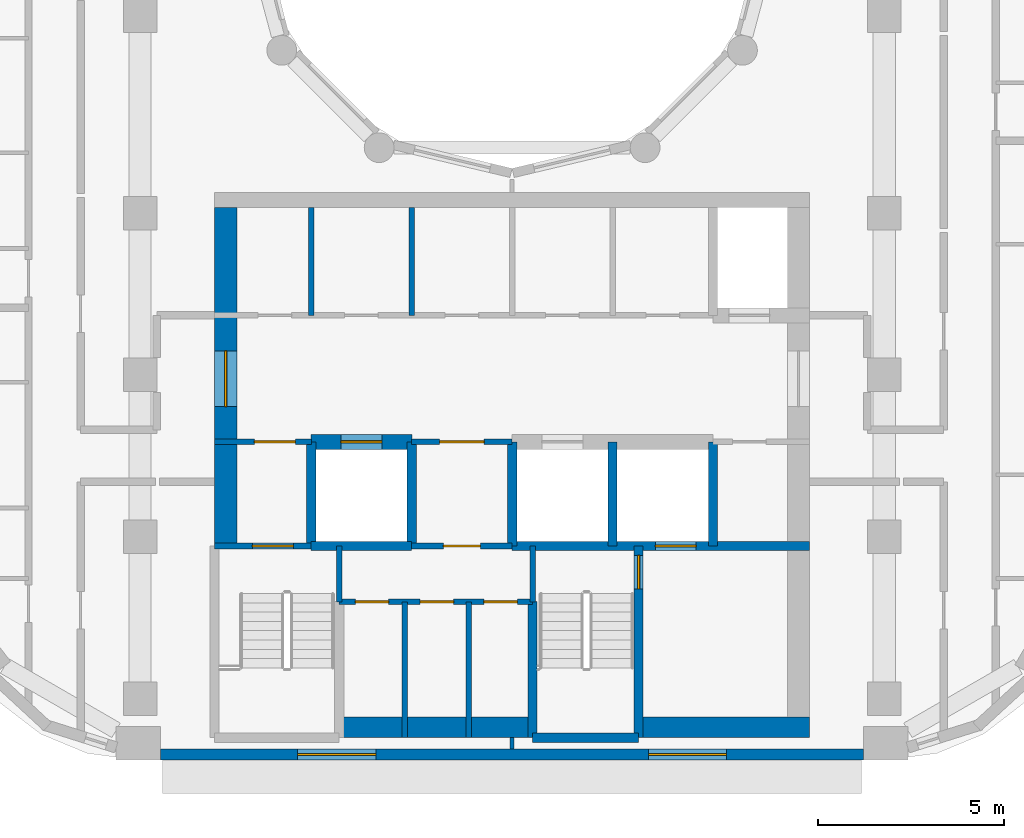
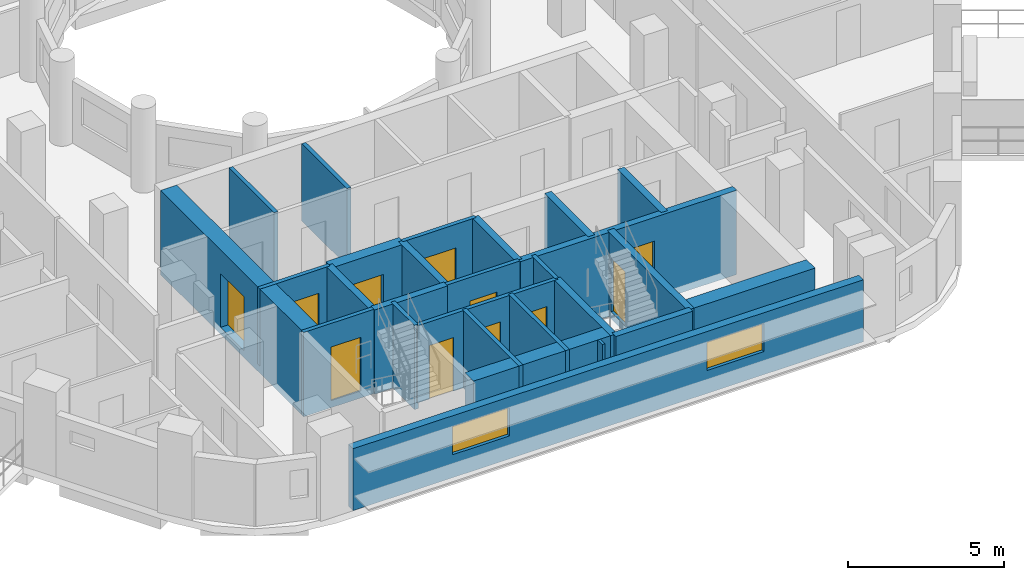
# One storey, part 3 of 17: 27 walls, 11 doors, 2 windows, 13 openings.
"""IFC4 building model written with IfcOpenShell, lengths in metres."""

from ifc_helpers import new_model, si_unit, direction, frame, frame_2d, origin, place, context, subcontext, project, spatial, rectangle, extrude, material, layer, layer_set, type_object, element, fill, save


model = new_model("IFC4")

# Units and contexts
model_context = context("Model", 3, precision=1e-05, world=origin(), true_north=direction((0.0, 1.0)))
body_context = subcontext(model_context, "Body", "Model", "MODEL_VIEW")
ifc_project = project(units=[si_unit("LENGTHUNIT", "METRE"), si_unit("AREAUNIT", "SQUARE_METRE"), si_unit("VOLUMEUNIT", "CUBIC_METRE"), si_unit("PLANEANGLEUNIT", "RADIAN"), si_unit("MASSUNIT", "GRAM", prefix="KILO")], contexts=[model_context])

# Site, building, storey
site_placement = place(None, origin())
site = spatial("IfcSite", under=ifc_project, at=site_placement, CompositionType="ELEMENT")
building_placement = place(site_placement, origin())
building = spatial("IfcBuilding", under=site, at=building_placement, Name="Nakaniwa Court", CompositionType="ELEMENT")
storey_placement = place(building_placement, frame((0.0, 0.0, 203.10009765625)))
storey = spatial("IfcBuildingStorey", under=building, at=storey_placement, Name="L53", CompositionType="ELEMENT", Elevation=203.10009765625)

# Wall, openings, windows
ifc_material_1 = material(Name="Charcoal ceramic cladding")
ifc_layer_1 = layer(ifc_material_1, 0.02, Name="Ceramic cladding")
ifc_material_2 = material(Name="Ventilated air cavity")
ifc_layer_2 = layer(ifc_material_2, 0.04, ventilated=True, Name="Ventilated cavity")
ifc_material_3 = material(Name="Mineral wool insulation")
ifc_layer_3 = layer(ifc_material_3, 0.1, Name="Insulation")
ifc_material_4 = material(Name="Cement bonded sheathing board")
ifc_layer_4 = layer(ifc_material_4, 0.012, Name="Sheathing")
ifc_material_5 = material(Name="Cold-formed galvanised stud frame with mineral wool infill")
ifc_layer_5 = layer(ifc_material_5, 0.1, Name="Stud frame")
ifc_material_6 = material(Name="Fire-rated gypsum plasterboard lining")
ifc_layer_6 = layer(ifc_material_6, 0.028, Name="Lining")
ifc_layer_set_1 = layer_set([ifc_layer_1, ifc_layer_2, ifc_layer_3, ifc_layer_4, ifc_layer_5, ifc_layer_6], Name="Charcoal ceramic faced external wall system")
wall_type_1 = type_object("IfcWallType", Name="Black ceramic faced external wall 300", PredefinedType="SOLIDWALL", material=ifc_layer_set_1)
wall_1_placement = place(storey_placement, frame((70.55078125, 57.5, 0.0), z_axis=(0.0, 0.0, 1.0), x_axis=(1.0, 0.0, 0.0)))
wall_1 = element("IfcWall", 1, at=wall_1_placement, inside=storey, type_object=wall_type_1, Name="L53 external wall 26", PredefinedType="SOLIDWALL", context=body_context, shape_type="SweptSolid", body=[
    extrude(rectangle(XDim=18.892822265625, YDim=0.300048828125, at=frame_2d((9.4462890625, 0.0))), origin(), (0.0, 0.0, 1.0), 2.4248046875),
])
opening_1_placement = place(wall_1_placement, frame((3.6865234375, 0.0, 0.89990234375)))
opening_1 = element("IfcOpeningElement", 2, at=opening_1_placement, cuts=wall_1, Name="Opening W7.26", PredefinedType="OPENING", context=body_context, shape_type="SweptSolid", body=[
    extrude(rectangle(XDim=2.10009765625, YDim=1.10009765625, at=frame_2d((1.050048828125, 0.550048828125))), frame((0.0, 0.159912109375, 0.0), z_axis=(0.0, -1.0, 0.0), x_axis=(1.0, 0.0, 0.0)), (0.0, 0.0, 1.0), 0.320068359375),
])
opening_2_placement = place(wall_1_placement, frame((13.10888671875, 0.0, 0.89990234375)))
opening_2 = element("IfcOpeningElement", 3, at=opening_2_placement, cuts=wall_1, Name="Opening W7.27", PredefinedType="OPENING", context=body_context, shape_type="SweptSolid", body=[
    extrude(rectangle(XDim=2.10009765625, YDim=1.10009765625, at=frame_2d((1.050048828125, 0.550048828125))), frame((0.0, 0.159912109375, 0.0), z_axis=(0.0, -1.0, 0.0), x_axis=(1.0, 0.0, 0.0)), (0.0, 0.0, 1.0), 0.320068359375),
])
ifc_material_7 = material(Name="Black anodised aluminium frame with dark low-E laminated double glazing", Category="aluminium")
window_type = type_object("IfcWindowType", Name="Dark glass window 2100x1100 sill 900", PartitioningType="SINGLE_PANEL", PredefinedType="WINDOW", material=ifc_material_7)
window_1_placement = place(opening_1_placement, origin())
window_1 = element("IfcWindow", 4, at=window_1_placement, inside=storey, type_object=window_type, Name="L53 habitable room window 26-0", OverallHeight=1.10009765625, OverallWidth=2.10009765625, PartitioningType="SINGLE_PANEL", PredefinedType="WINDOW", context=body_context, shape_type="SweptSolid", body=[
    extrude(rectangle(XDim=2.10009765625, YDim=1.10009765625, at=frame_2d((1.050048828125, 0.550048828125))), frame((0.0, 0.030029296875, 0.0), z_axis=(0.0, -1.0, 0.0), x_axis=(1.0, 0.0, 0.0)), (0.0, 0.0, 1.0), 0.06005859375),
])
fill(opening_1, window_1)
window_2_placement = place(opening_2_placement, origin())
window_2 = element("IfcWindow", 5, at=window_2_placement, inside=storey, type_object=window_type, Name="L53 habitable room window 26-1", OverallHeight=1.10009765625, OverallWidth=2.10009765625, PartitioningType="SINGLE_PANEL", PredefinedType="WINDOW", context=body_context, shape_type="SweptSolid", body=[
    extrude(rectangle(XDim=2.10009765625, YDim=1.10009765625, at=frame_2d((1.050048828125, 0.550048828125))), frame((0.0, 0.030029296875, 0.0), z_axis=(0.0, -1.0, 0.0), x_axis=(1.0, 0.0, 0.0)), (0.0, 0.0, 1.0), 0.06005859375),
])
fill(opening_2, window_2)

# Walls
ifc_material_8 = material(Name="Blockwork partition", Category="masonry")
ifc_layer_7 = layer(ifc_material_8, 0.14990234375)
ifc_layer_set_2 = layer_set([ifc_layer_7], Name="Blockwork partition")
wall_type_2 = type_object("IfcWallType", Name="Blockwork partition 150", PredefinedType="PARTITIONING", material=ifc_layer_set_2)
for number, where, z_axis, x_axis, name in (
    (6, (74.60009765625, 69.300048828125, 0.0), (0.0, 0.0, 1.0), (0.0, 1.0, 0.0), "Partition PW-037"),
    (7, (77.300048828125, 69.300048828125, 0.0), (0.0, 0.0, 1.0), (0.0, 1.0, 0.0), "Partition PW-044"),
):
    element("IfcWall", number, at=place(storey_placement, frame(where, z_axis=z_axis, x_axis=x_axis)), inside=storey, type_object=wall_type_2, Name=name, PredefinedType="PARTITIONING", context=body_context, shape_type="SweptSolid", body=[
        extrude(rectangle(XDim=2.89990234375, YDim=0.14990234375, at=frame_2d((1.449951171875, 0.0))), origin(), (0.0, 0.0, 1.0), 3.02490234375),
    ])

# Wall, opening, door
wall_2_placement = place(storey_placement, frame((74.60302734375, 65.89990234375, 0.0), z_axis=(0.0, 0.0, 1.0), x_axis=(-1.0, 0.0, 0.0)))
wall_2 = element("IfcWall", 8, at=wall_2_placement, inside=storey, type_object=wall_type_2, Name="Partition PW-047", PredefinedType="PARTITIONING", context=body_context, shape_type="SweptSolid", body=[
    extrude(rectangle(XDim=2.60302734375, YDim=0.14990234375, at=frame_2d((1.301513671875, 0.0))), origin(), (0.0, 0.0, 1.0), 3.02490234375),
])
opening_3_placement = place(wall_2_placement, frame((0.427978515625, 0.0, 0.0)))
opening_3 = element("IfcOpeningElement", 9, at=opening_3_placement, cuts=wall_2, Name="Opening D-08-02", PredefinedType="OPENING", context=body_context, shape_type="SweptSolid", body=[
    extrude(rectangle(XDim=1.10009765625, YDim=2.10009765625, at=frame_2d((0.550048828125, 1.050048828125))), frame((0.0, 0.0849609375, 0.0), z_axis=(0.0, -1.0, 0.0), x_axis=(1.0, 0.0, 0.0)), (0.0, 0.0, 1.0), 0.169921875),
])
ifc_material_9 = material(Name="Fire rated steel door set", Category="steel")
door_type_1 = type_object("IfcDoorType", Name="Stair lobby door 1100", OperationType="NOTDEFINED", PredefinedType="DOOR", material=ifc_material_9)
door_1_placement = place(opening_3_placement, origin())
door_1 = element("IfcDoor", 10, at=door_1_placement, inside=storey, type_object=door_type_1, Name="Door D-08-02 L53-020", OperationType="SINGLE_SWING_LEFT", OverallHeight=2.10009765625, OverallWidth=1.10009765625, PredefinedType="DOOR", context=body_context, shape_type="SweptSolid", body=[
    extrude(rectangle(XDim=1.10009765625, YDim=2.10009765625, at=frame_2d((0.550048828125, 1.050048828125))), frame((0.0, 0.02490234375, 0.0), z_axis=(0.0, -1.0, 0.0), x_axis=(1.0, 0.0, 0.0)), (0.0, 0.0, 1.0), 0.050048828125),
])
fill(opening_3, door_1)

wall_3_placement = place(storey_placement, frame((80.0029296875, 65.89990234375, 0.0), z_axis=(0.0, 0.0, 1.0), x_axis=(-1.0, 0.0, 0.0)))
wall_3 = element("IfcWall", 11, at=wall_3_placement, inside=storey, type_object=wall_type_2, Name="Partition PW-048", PredefinedType="PARTITIONING", context=body_context, shape_type="SweptSolid", body=[
    extrude(rectangle(XDim=2.705810546875, YDim=0.14990234375, at=frame_2d((1.35302734375, 0.0))), origin(), (0.0, 0.0, 1.0), 3.02490234375),
])
opening_4_placement = place(wall_3_placement, frame((0.7529296875, 0.0, 0.0)))
opening_4 = element("IfcOpeningElement", 12, at=opening_4_placement, cuts=wall_3, Name="Opening D-06-02", PredefinedType="OPENING", context=body_context, shape_type="SweptSolid", body=[
    extrude(rectangle(XDim=1.199951171875, YDim=2.10009765625, at=frame_2d((0.60009765625, 1.050048828125))), frame((0.0, 0.0849609375, 0.0), z_axis=(0.0, -1.0, 0.0), x_axis=(1.0, 0.0, 0.0)), (0.0, 0.0, 1.0), 0.169921875),
])
ifc_material_10 = material(Name="Fire rated steel double door set", Category="steel")
door_type_2 = type_object("IfcDoorType", Name="Service passage double door 1200", OperationType="NOTDEFINED", PredefinedType="DOOR", material=ifc_material_10)
door_2_placement = place(opening_4_placement, origin())
door_2 = element("IfcDoor", 13, at=door_2_placement, inside=storey, type_object=door_type_2, Name="Door D-06-02 L53-021", OperationType="DOUBLE_DOOR_SINGLE_SWING", OverallHeight=2.10009765625, OverallWidth=1.199951171875, PredefinedType="DOOR", context=body_context, shape_type="SweptSolid", body=[
    extrude(rectangle(XDim=1.199951171875, YDim=2.10009765625, at=frame_2d((0.60009765625, 1.050048828125))), frame((0.0, 0.02490234375, 0.0), z_axis=(0.0, -1.0, 0.0), x_axis=(1.0, 0.0, 0.0)), (0.0, 0.0, 1.0), 0.050048828125),
])
fill(opening_4, door_2)

wall_4_placement = place(storey_placement, frame((80.0, 63.10009765625, 0.0), z_axis=(0.0, 0.0, 1.0), x_axis=(-1.0, 0.0, 0.0)))
wall_4 = element("IfcWall", 14, at=wall_4_placement, inside=storey, type_object=wall_type_2, Name="Partition PW-058", PredefinedType="PARTITIONING", context=body_context, shape_type="SweptSolid", body=[
    extrude(rectangle(XDim=2.699951171875, YDim=0.14990234375, at=frame_2d((1.35009765625, 0.0))), origin(), (0.0, 0.0, 1.0), 3.02490234375),
])
opening_5_placement = place(wall_4_placement, frame((0.85009765625, 0.0, 0.0)))
opening_5 = element("IfcOpeningElement", 15, at=opening_5_placement, cuts=wall_4, Name="Opening D-23-02", PredefinedType="OPENING", context=body_context, shape_type="SweptSolid", body=[
    extrude(rectangle(XDim=1.0, YDim=2.10009765625, at=frame_2d((0.5, 1.050048828125))), frame((0.0, 0.0849609375, 0.0), z_axis=(0.0, -1.0, 0.0), x_axis=(1.0, 0.0, 0.0)), (0.0, 0.0, 1.0), 0.169921875),
])
door_type_3 = type_object("IfcDoorType", Name="Service room door 1000", OperationType="NOTDEFINED", PredefinedType="DOOR", material=ifc_material_9)
door_3_placement = place(opening_5_placement, origin())
door_3 = element("IfcDoor", 16, at=door_3_placement, inside=storey, type_object=door_type_3, Name="Door D-23-02 L53-023", OperationType="SINGLE_SWING_RIGHT", OverallHeight=2.10009765625, OverallWidth=1.0, PredefinedType="DOOR", context=body_context, shape_type="SweptSolid", body=[
    extrude(rectangle(XDim=1.0, YDim=2.10009765625, at=frame_2d((0.5, 1.050048828125))), frame((0.0, 0.02490234375, 0.0), z_axis=(0.0, -1.0, 0.0), x_axis=(1.0, 0.0, 0.0)), (0.0, 0.0, 1.0), 0.050048828125),
])
fill(opening_5, door_3)

# Wall, openings, doors
wall_5_placement = place(storey_placement, frame((80.550048828125, 61.60009765625, 0.0), z_axis=(0.0, 0.0, 1.0), x_axis=(-1.0, 0.0, 0.0)))
wall_5 = element("IfcWall", 17, at=wall_5_placement, inside=storey, type_object=wall_type_2, Name="Partition PW-070", PredefinedType="PARTITIONING", context=body_context, shape_type="SweptSolid", body=[
    extrude(rectangle(XDim=5.199951171875, YDim=0.14990234375, at=frame_2d((2.60009765625, 0.0))), origin(), (0.0, 0.0, 1.0), 3.02490234375),
])
opening_6_placement = place(wall_5_placement, frame((3.865966796875, 0.0, 0.0)))
opening_6 = element("IfcOpeningElement", 18, at=opening_6_placement, cuts=wall_5, Name="Opening D-05-16", PredefinedType="OPENING", context=body_context, shape_type="SweptSolid", body=[
    extrude(rectangle(XDim=0.89990234375, YDim=2.10009765625, at=frame_2d((0.449951171875, 1.050048828125))), frame((0.0, 0.0849609375, 0.0), z_axis=(0.0, -1.0, 0.0), x_axis=(1.0, 0.0, 0.0)), (0.0, 0.0, 1.0), 0.169921875),
])
opening_7_placement = place(wall_5_placement, frame((2.1240234375, 0.0, 0.0)))
opening_7 = element("IfcOpeningElement", 19, at=opening_7_placement, cuts=wall_5, Name="Opening D-05-17", PredefinedType="OPENING", context=body_context, shape_type="SweptSolid", body=[
    extrude(rectangle(XDim=0.89990234375, YDim=2.10009765625, at=frame_2d((0.449951171875, 1.050048828125))), frame((0.0, 0.0849609375, 0.0), z_axis=(0.0, -1.0, 0.0), x_axis=(1.0, 0.0, 0.0)), (0.0, 0.0, 1.0), 0.169921875),
])
opening_8_placement = place(wall_5_placement, frame((0.407958984375, 0.0, 0.0)))
opening_8 = element("IfcOpeningElement", 20, at=opening_8_placement, cuts=wall_5, Name="Opening D-05-18", PredefinedType="OPENING", context=body_context, shape_type="SweptSolid", body=[
    extrude(rectangle(XDim=0.89990234375, YDim=2.10009765625, at=frame_2d((0.449951171875, 1.050048828125))), frame((0.0, 0.0849609375, 0.0), z_axis=(0.0, -1.0, 0.0), x_axis=(1.0, 0.0, 0.0)), (0.0, 0.0, 1.0), 0.169921875),
])
door_type_4 = type_object("IfcDoorType", Name="Service room door 900", OperationType="NOTDEFINED", PredefinedType="DOOR", material=ifc_material_9)
door_4_placement = place(opening_6_placement, origin())
door_4 = element("IfcDoor", 21, at=door_4_placement, inside=storey, type_object=door_type_4, Name="Door D-05-16 L53-024", OperationType="SINGLE_SWING_LEFT", OverallHeight=2.10009765625, OverallWidth=0.89990234375, PredefinedType="DOOR", context=body_context, shape_type="SweptSolid", body=[
    extrude(rectangle(XDim=0.89990234375, YDim=2.10009765625, at=frame_2d((0.449951171875, 1.050048828125))), frame((0.0, 0.02490234375, 0.0), z_axis=(0.0, -1.0, 0.0), x_axis=(1.0, 0.0, 0.0)), (0.0, 0.0, 1.0), 0.050048828125),
])
fill(opening_6, door_4)
door_5_placement = place(opening_7_placement, origin())
door_5 = element("IfcDoor", 22, at=door_5_placement, inside=storey, type_object=door_type_4, Name="Door D-05-17 L53-025", OperationType="SINGLE_SWING_RIGHT", OverallHeight=2.10009765625, OverallWidth=0.89990234375, PredefinedType="DOOR", context=body_context, shape_type="SweptSolid", body=[
    extrude(rectangle(XDim=0.89990234375, YDim=2.10009765625, at=frame_2d((0.449951171875, 1.050048828125))), frame((0.0, 0.02490234375, 0.0), z_axis=(0.0, -1.0, 0.0), x_axis=(1.0, 0.0, 0.0)), (0.0, 0.0, 1.0), 0.050048828125),
])
fill(opening_7, door_5)
door_6_placement = place(opening_8_placement, origin())
door_6 = element("IfcDoor", 23, at=door_6_placement, inside=storey, type_object=door_type_4, Name="Door D-05-18 L53-026", OperationType="SINGLE_SWING_LEFT", OverallHeight=2.10009765625, OverallWidth=0.89990234375, PredefinedType="DOOR", context=body_context, shape_type="SweptSolid", body=[
    extrude(rectangle(XDim=0.89990234375, YDim=2.10009765625, at=frame_2d((0.449951171875, 1.050048828125))), frame((0.0, 0.02490234375, 0.0), z_axis=(0.0, -1.0, 0.0), x_axis=(1.0, 0.0, 0.0)), (0.0, 0.0, 1.0), 0.050048828125),
])
fill(opening_8, door_6)

# Walls
for number, where, z_axis, x_axis, name in (
    (24, (77.117919921875, 57.949951171875, 0.0), (0.0, 0.0, 1.0), (0.0, 1.0, 0.0), "Partition PW-071"),
    (25, (78.833984375, 57.949951171875, 0.0), (0.0, 0.0, 1.0), (0.0, 1.0, 0.0), "Partition PW-072"),
):
    element("IfcWall", number, at=place(storey_placement, frame(where, z_axis=z_axis, x_axis=x_axis)), inside=storey, type_object=wall_type_2, Name=name, PredefinedType="PARTITIONING", context=body_context, shape_type="SweptSolid", body=[
        extrude(rectangle(XDim=3.650146484375, YDim=0.14990234375, at=frame_2d((1.8251953125, 0.0))), origin(), (0.0, 0.0, 1.0), 3.02490234375),
    ])

# Wall, opening, door
ifc_material_11 = material(Name="Concrete C80/100", Category="concrete")
ifc_layer_8 = layer(ifc_material_11, 0.60009765625)
ifc_layer_set_3 = layer_set([ifc_layer_8], Name="Concrete C80/100")
wall_type_3 = type_object("IfcWallType", Name="Concrete core side wall 600 C80", PredefinedType="SHEAR", material=ifc_layer_set_3)
wall_6_placement = place(storey_placement, frame((72.300048828125, 63.10009765625, -0.275146484375), z_axis=(0.0, 0.0, 1.0), x_axis=(0.0, 1.0, 0.0)))
wall_6 = element("IfcWall", 26, at=wall_6_placement, inside=storey, type_object=wall_type_3, Name="Core wall SW-39", PredefinedType="SHEAR", context=body_context, shape_type="SweptSolid", body=[
    extrude(rectangle(XDim=9.099853515625, YDim=0.60009765625, at=frame_2d((4.5498046875, 0.0))), origin(), (0.0, 0.0, 1.0), 3.300048828125),
])
opening_9_placement = place(wall_6_placement, frame((3.748046875, 0.0, 0.27490234375)))
opening_9 = element("IfcOpeningElement", 27, at=opening_9_placement, cuts=wall_6, Name="Opening D-07-04", PredefinedType="OPENING", context=body_context, shape_type="SweptSolid", body=[
    extrude(rectangle(XDim=1.5, YDim=2.10009765625, at=frame_2d((0.75, 1.050048828125))), frame((0.0, 0.31005859375, 0.0), z_axis=(0.0, -1.0, 0.0), x_axis=(1.0, 0.0, 0.0)), (0.0, 0.0, 1.0), 0.6201171875),
])
ifc_material_12 = material(Name="Glazed fire rated steel double door set", Category="steel")
door_type_5 = type_object("IfcDoorType", Name="Lobby double door 1500", OperationType="NOTDEFINED", PredefinedType="DOOR", material=ifc_material_12)
door_7_placement = place(opening_9_placement, origin())
door_7 = element("IfcDoor", 28, at=door_7_placement, inside=storey, type_object=door_type_5, Name="Door D-07-04 L53-064", OperationType="DOUBLE_DOOR_SINGLE_SWING", OverallHeight=2.10009765625, OverallWidth=1.5, PredefinedType="DOOR", context=body_context, shape_type="SweptSolid", body=[
    extrude(rectangle(XDim=1.5, YDim=2.10009765625, at=frame_2d((0.75, 1.050048828125))), frame((0.0, 0.02490234375, 0.0), z_axis=(0.0, -1.0, 0.0), x_axis=(1.0, 0.0, 0.0)), (0.0, 0.0, 1.0), 0.050048828125),
])
fill(opening_9, door_7)

ifc_layer_9 = layer(ifc_material_11, 0.39990234375)
ifc_layer_set_4 = layer_set([ifc_layer_9], Name="Concrete C80/100")
wall_type_4 = type_object("IfcWallType", Name="Concrete core spine wall 400 C80", PredefinedType="SHEAR", material=ifc_layer_set_4)
wall_7_placement = place(storey_placement, frame((74.596923828125, 65.89990234375, -0.275146484375), z_axis=(0.0, 0.0, 1.0), x_axis=(1.0, 0.0, 0.0)))
wall_7 = element("IfcWall", 29, at=wall_7_placement, inside=storey, type_object=wall_type_4, Name="Core wall SW-50", PredefinedType="SHEAR", context=body_context, shape_type="SweptSolid", body=[
    extrude(rectangle(XDim=2.7060546875, YDim=0.39990234375, at=frame_2d((1.35302734375, 0.0))), origin(), (0.0, 0.0, 1.0), 3.300048828125),
])
opening_10_placement = place(wall_7_placement, frame((0.802978515625, 0.0, 0.27490234375)))
opening_10 = element("IfcOpeningElement", 30, at=opening_10_placement, cuts=wall_7, Name="Opening LD06", PredefinedType="OPENING", context=body_context, shape_type="SweptSolid", body=[
    extrude(rectangle(XDim=1.10009765625, YDim=2.10009765625, at=frame_2d((0.550048828125, 1.050048828125))), frame((0.0, 0.2099609375, 0.0), z_axis=(0.0, -1.0, 0.0), x_axis=(1.0, 0.0, 0.0)), (0.0, 0.0, 1.0), 0.419921875),
])
ifc_material_13 = material(Name="Stainless steel sliding lift landing door", Category="steel")
door_type_6 = type_object("IfcDoorType", Name="Lift landing door 1100", OperationType="NOTDEFINED", PredefinedType="DOOR", material=ifc_material_13)
door_8_placement = place(opening_10_placement, origin())
door_8 = element("IfcDoor", 31, at=door_8_placement, inside=storey, type_object=door_type_6, Name="Lift landing door LD06 L53-006", OperationType="SLIDING_TO_LEFT", OverallHeight=2.10009765625, OverallWidth=1.10009765625, PredefinedType="DOOR", context=body_context, shape_type="SweptSolid", body=[
    extrude(rectangle(XDim=1.10009765625, YDim=2.10009765625, at=frame_2d((0.550048828125, 1.050048828125))), frame((0.0, 0.02490234375, 0.0), z_axis=(0.0, -1.0, 0.0), x_axis=(1.0, 0.0, 0.0)), (0.0, 0.0, 1.0), 0.050048828125),
])
fill(opening_10, door_8)

ifc_layer_10 = layer(ifc_material_11, 0.14990234375)
ifc_layer_set_5 = layer_set([ifc_layer_10], Name="Concrete C80/100")
wall_type_5 = type_object("IfcWallType", Name="Concrete core wall 150 C80", PredefinedType="SHEAR", material=ifc_layer_set_5)
wall_8_placement = place(storey_placement, frame((72.0, 63.10009765625, -0.275146484375), z_axis=(0.0, 0.0, 1.0), x_axis=(1.0, 0.0, 0.0)))
wall_8 = element("IfcWall", 32, at=wall_8_placement, inside=storey, type_object=wall_type_5, Name="Core wall SW-53", PredefinedType="SHEAR", context=body_context, shape_type="SweptSolid", body=[
    extrude(rectangle(XDim=2.60009765625, YDim=0.14990234375, at=frame_2d((1.300048828125, 0.0))), origin(), (0.0, 0.0, 1.0), 3.300048828125),
])
opening_11_placement = place(wall_8_placement, frame((1.02001953125, 0.0, 0.27490234375)))
opening_11 = element("IfcOpeningElement", 33, at=opening_11_placement, cuts=wall_8, Name="Opening D-09-02", PredefinedType="OPENING", context=body_context, shape_type="SweptSolid", body=[
    extrude(rectangle(XDim=1.10009765625, YDim=2.10009765625, at=frame_2d((0.550048828125, 1.050048828125))), frame((0.0, 0.0849609375, 0.0), z_axis=(0.0, -1.0, 0.0), x_axis=(1.0, 0.0, 0.0)), (0.0, 0.0, 1.0), 0.169921875),
])
door_type_7 = type_object("IfcDoorType", Name="Stair door 1100", OperationType="NOTDEFINED", PredefinedType="DOOR", material=ifc_material_9)
door_9_placement = place(opening_11_placement, origin())
door_9 = element("IfcDoor", 34, at=door_9_placement, inside=storey, type_object=door_type_7, Name="Door D-09-02 L53-027", OperationType="SINGLE_SWING_LEFT", OverallHeight=2.10009765625, OverallWidth=1.10009765625, PredefinedType="DOOR", context=body_context, shape_type="SweptSolid", body=[
    extrude(rectangle(XDim=1.10009765625, YDim=2.10009765625, at=frame_2d((0.550048828125, 1.050048828125))), frame((0.0, 0.02490234375, 0.0), z_axis=(0.0, -1.0, 0.0), x_axis=(1.0, 0.0, 0.0)), (0.0, 0.0, 1.0), 0.050048828125),
])
fill(opening_11, door_9)

# Walls
for number, where, z_axis, x_axis, name in (
    (35, (75.35009765625, 61.596923828125, -0.275146484375), (0.0, 0.0, 1.0), (0.0, 1.0, 0.0), "Core wall SW-60"),
    (36, (80.550048828125, 61.596923828125, -0.275146484375), (0.0, 0.0, 1.0), (0.0, 1.0, 0.0), "Core wall SW-66"),
):
    element("IfcWall", number, at=place(storey_placement, frame(where, z_axis=z_axis, x_axis=x_axis)), inside=storey, type_object=wall_type_5, Name=name, PredefinedType="SHEAR", context=body_context, shape_type="SweptSolid", body=[
        extrude(rectangle(XDim=1.503173828125, YDim=0.14990234375, at=frame_2d((0.75146484375, 0.0))), origin(), (0.0, 0.0, 1.0), 3.300048828125),
    ])
ifc_layer_11 = layer(ifc_material_11, 0.25)
ifc_layer_set_6 = layer_set([ifc_layer_11], Name="Concrete C80/100")
wall_type_6 = type_object("IfcWallType", Name="Concrete core wall 250 C80", PredefinedType="SHEAR", material=ifc_layer_set_6)
wall_9_placement = place(storey_placement, frame((80.550048828125, 57.949951171875, -0.275146484375), z_axis=(0.0, 0.0, 1.0), x_axis=(1.0, 0.0, 0.0)))
element("IfcWall", 37, at=wall_9_placement, inside=storey, type_object=wall_type_6, Name="Core wall SW-64", PredefinedType="SHEAR", context=body_context, shape_type="SweptSolid", body=[
    extrude(rectangle(XDim=2.849853515625, YDim=0.25, at=frame_2d((1.4248046875, 0.0))), origin(), (0.0, 0.0, 1.0), 3.300048828125),
])
ifc_layer_12 = layer(ifc_material_11, 0.550048828125)
ifc_layer_set_7 = layer_set([ifc_layer_12], Name="Concrete C80/100")
wall_type_7 = type_object("IfcWallType", Name="Concrete core wall 550 C80", PredefinedType="SHEAR", material=ifc_layer_set_7)
wall_10_placement = place(storey_placement, frame((75.35009765625, 58.22509765625, -0.275146484375), z_axis=(0.0, 0.0, 1.0), x_axis=(1.0, 0.0, 0.0)))
element("IfcWall", 38, at=wall_10_placement, inside=storey, type_object=wall_type_7, Name="Core wall SW-68", PredefinedType="SHEAR", context=body_context, shape_type="SweptSolid", body=[
    extrude(rectangle(XDim=5.199951171875, YDim=0.550048828125, at=frame_2d((2.60009765625, 0.0))), origin(), (0.0, 0.0, 1.0), 3.300048828125),
])
wall_11_placement = place(storey_placement, frame((83.39990234375, 58.22509765625, -0.275146484375), z_axis=(0.0, 0.0, 1.0), x_axis=(1.0, 0.0, 0.0)))
element("IfcWall", 39, at=wall_11_placement, inside=storey, type_object=wall_type_7, Name="Core wall SW-69", PredefinedType="SHEAR", context=body_context, shape_type="SweptSolid", body=[
    extrude(rectangle(XDim=4.60009765625, YDim=0.550048828125, at=frame_2d((2.300048828125, 0.0))), origin(), (0.0, 0.0, 1.0), 3.300048828125),
])
ifc_layer_13 = layer(ifc_material_11, 0.25)
ifc_layer_set_8 = layer_set([ifc_layer_13], Name="Concrete C80/100")
wall_type_8 = type_object("IfcWallType", Name="Concrete shaft wall 250 C80", PredefinedType="SHEAR", material=ifc_layer_set_8)
for number, where, z_axis, x_axis, name in (
    (40, (85.39990234375, 63.10009765625, -0.275146484375), (0.0, 0.0, 1.0), (0.0, 1.0, 0.0), "Core wall SW-40"),
    (41, (74.60009765625, 63.10009765625, -0.275146484375), (0.0, 0.0, 1.0), (0.0, 1.0, 0.0), "Core wall SW-52"),
    (42, (77.300048828125, 63.10009765625, -0.275146484375), (0.0, 0.0, 1.0), (0.0, 1.0, 0.0), "Core wall SW-54"),
):
    element("IfcWall", number, at=place(storey_placement, frame(where, z_axis=z_axis, x_axis=x_axis)), inside=storey, type_object=wall_type_8, Name=name, PredefinedType="SHEAR", context=body_context, shape_type="SweptSolid", body=[
        extrude(rectangle(XDim=2.7998046875, YDim=0.25, at=frame_2d((1.39990234375, 0.0))), origin(), (0.0, 0.0, 1.0), 3.300048828125),
    ])
wall_12_placement = place(storey_placement, frame((74.60009765625, 63.10009765625, -0.275146484375), z_axis=(0.0, 0.0, 1.0), x_axis=(1.0, 0.0, 0.0)))
element("IfcWall", 43, at=wall_12_placement, inside=storey, type_object=wall_type_8, Name="Core wall SW-55", PredefinedType="SHEAR", context=body_context, shape_type="SweptSolid", body=[
    extrude(rectangle(XDim=2.699951171875, YDim=0.25, at=frame_2d((1.35009765625, 0.0))), origin(), (0.0, 0.0, 1.0), 3.300048828125),
])

# Wall, opening, door
wall_13_placement = place(storey_placement, frame((80.0, 63.10009765625, -0.275146484375), z_axis=(0.0, 0.0, 1.0), x_axis=(1.0, 0.0, 0.0)))
wall_13 = element("IfcWall", 44, at=wall_13_placement, inside=storey, type_object=wall_type_8, Name="Core wall SW-56", PredefinedType="SHEAR", context=body_context, shape_type="SweptSolid", body=[
    extrude(rectangle(XDim=8.0, YDim=0.25, at=frame_2d((4.0, 0.0))), origin(), (0.0, 0.0, 1.0), 3.300048828125),
])
opening_12_placement = place(wall_13_placement, frame((3.84912109375, 0.0, 0.27490234375)))
opening_12 = element("IfcOpeningElement", 45, at=opening_12_placement, cuts=wall_13, Name="Opening LD08", PredefinedType="OPENING", context=body_context, shape_type="SweptSolid", body=[
    extrude(rectangle(XDim=1.10009765625, YDim=2.10009765625, at=frame_2d((0.550048828125, 1.050048828125))), frame((0.0, 0.135009765625, 0.0), z_axis=(0.0, -1.0, 0.0), x_axis=(1.0, 0.0, 0.0)), (0.0, 0.0, 1.0), 0.27001953125),
])
door_10_placement = place(opening_12_placement, origin())
door_10 = element("IfcDoor", 46, at=door_10_placement, inside=storey, type_object=door_type_6, Name="Lift landing door LD08 L53-008", OperationType="SLIDING_TO_LEFT", OverallHeight=2.10009765625, OverallWidth=1.10009765625, PredefinedType="DOOR", context=body_context, shape_type="SweptSolid", body=[
    extrude(rectangle(XDim=1.10009765625, YDim=2.10009765625, at=frame_2d((0.550048828125, 1.050048828125))), frame((0.0, 0.02490234375, 0.0), z_axis=(0.0, -1.0, 0.0), x_axis=(1.0, 0.0, 0.0)), (0.0, 0.0, 1.0), 0.050048828125),
])
fill(opening_12, door_10)

# Walls
for number, where, z_axis, x_axis, name in (
    (47, (80.0, 63.10009765625, -0.275146484375), (0.0, 0.0, 1.0), (0.0, 1.0, 0.0), "Core wall SW-57"),
    (48, (82.699951171875, 63.10009765625, -0.275146484375), (0.0, 0.0, 1.0), (0.0, 1.0, 0.0), "Core wall SW-59"),
):
    element("IfcWall", number, at=place(storey_placement, frame(where, z_axis=z_axis, x_axis=x_axis)), inside=storey, type_object=wall_type_8, Name=name, PredefinedType="SHEAR", context=body_context, shape_type="SweptSolid", body=[
        extrude(rectangle(XDim=2.7998046875, YDim=0.25, at=frame_2d((1.39990234375, 0.0))), origin(), (0.0, 0.0, 1.0), 3.300048828125),
    ])

# Wall, opening, door
wall_14_placement = place(storey_placement, frame((83.39990234375, 63.10009765625, -0.275146484375), z_axis=(0.0, 0.0, 1.0), x_axis=(0.0, -1.0, 0.0)))
wall_14 = element("IfcWall", 49, at=wall_14_placement, inside=storey, type_object=wall_type_8, Name="Core wall SW-65", PredefinedType="SHEAR", context=body_context, shape_type="SweptSolid", body=[
    extrude(rectangle(XDim=5.150146484375, YDim=0.25, at=frame_2d((2.5751953125, 0.0))), origin(), (0.0, 0.0, 1.0), 3.300048828125),
])
opening_13_placement = place(wall_14_placement, frame((0.25, 0.0, 0.27490234375)))
opening_13 = element("IfcOpeningElement", 50, at=opening_13_placement, cuts=wall_14, Name="Opening D-11-02", PredefinedType="OPENING", context=body_context, shape_type="SweptSolid", body=[
    extrude(rectangle(XDim=0.89990234375, YDim=2.10009765625, at=frame_2d((0.449951171875, 1.050048828125))), frame((0.0, 0.135009765625, 0.0), z_axis=(0.0, -1.0, 0.0), x_axis=(1.0, 0.0, 0.0)), (0.0, 0.0, 1.0), 0.27001953125),
])
door_type_8 = type_object("IfcDoorType", Name="Stair door 900", OperationType="NOTDEFINED", PredefinedType="DOOR", material=ifc_material_9)
door_11_placement = place(opening_13_placement, origin())
door_11 = element("IfcDoor", 51, at=door_11_placement, inside=storey, type_object=door_type_8, Name="Door D-11-02 L53-028", OperationType="SINGLE_SWING_RIGHT", OverallHeight=2.10009765625, OverallWidth=0.89990234375, PredefinedType="DOOR", context=body_context, shape_type="SweptSolid", body=[
    extrude(rectangle(XDim=0.89990234375, YDim=2.10009765625, at=frame_2d((0.449951171875, 1.050048828125))), frame((0.0, 0.02490234375, 0.0), z_axis=(0.0, -1.0, 0.0), x_axis=(1.0, 0.0, 0.0)), (0.0, 0.0, 1.0), 0.050048828125),
])
fill(opening_13, door_11)

# Walls
wall_15_placement = place(storey_placement, frame((80.550048828125, 57.949951171875, -0.275146484375), z_axis=(0.0, 0.0, 1.0), x_axis=(0.0, 1.0, 0.0)))
element("IfcWall", 52, at=wall_15_placement, inside=storey, type_object=wall_type_8, Name="Core wall SW-67", PredefinedType="SHEAR", context=body_context, shape_type="SweptSolid", body=[
    extrude(rectangle(XDim=3.653076171875, YDim=0.25, at=frame_2d((1.82666015625, 0.0))), origin(), (0.0, 0.0, 1.0), 3.300048828125),
])
ifc_material_14 = material(Name="Single stud plasterboard partition")
ifc_layer_14 = layer(ifc_material_14, 0.10009765625)
ifc_layer_set_9 = layer_set([ifc_layer_14], Name="Single stud plasterboard partition")
wall_type_9 = type_object("IfcWallType", Name="Single stud plasterboard partition 100", PredefinedType="PARTITIONING", material=ifc_layer_set_9)
wall_16_placement = place(storey_placement, frame((80.0, 57.64990234375, 0.0), z_axis=(0.0, 0.0, 1.0), x_axis=(0.0, 1.0, 0.0)))
element("IfcWall", 53, at=wall_16_placement, inside=storey, type_object=wall_type_9, Name="Partition PW-112", PredefinedType="PARTITIONING", context=body_context, shape_type="SweptSolid", body=[
    extrude(rectangle(XDim=0.300048828125, YDim=0.10009765625, at=frame_2d((0.14990234375, 0.0))), origin(), (0.0, 0.0, 1.0), 3.02490234375),
])

save(model, "model.ifc")
